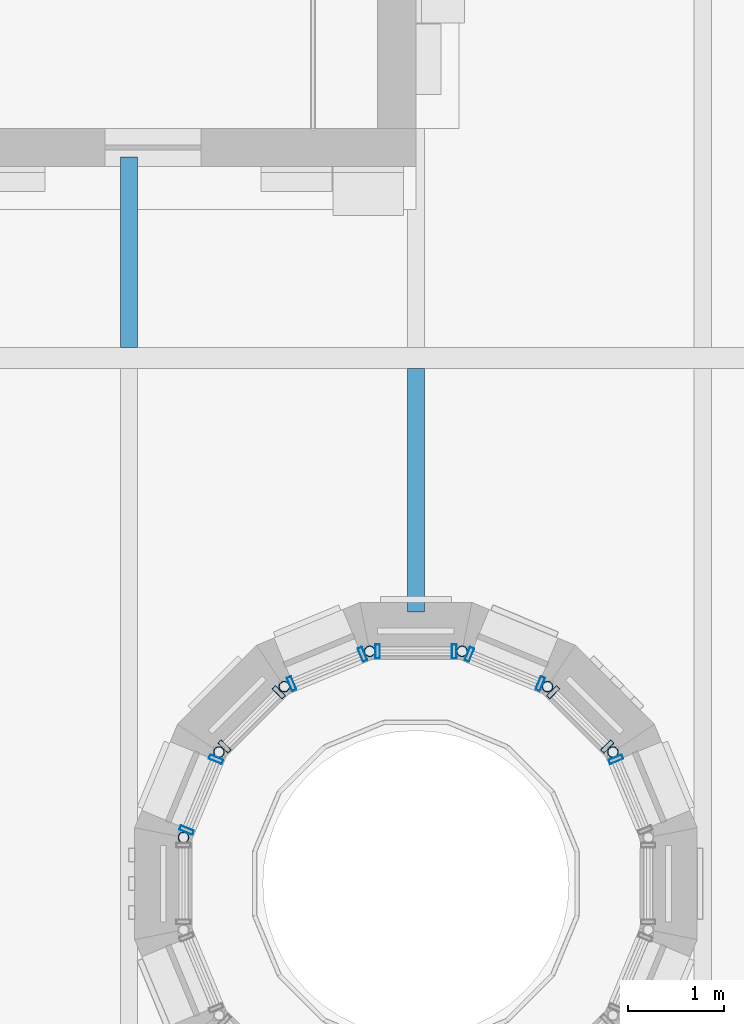
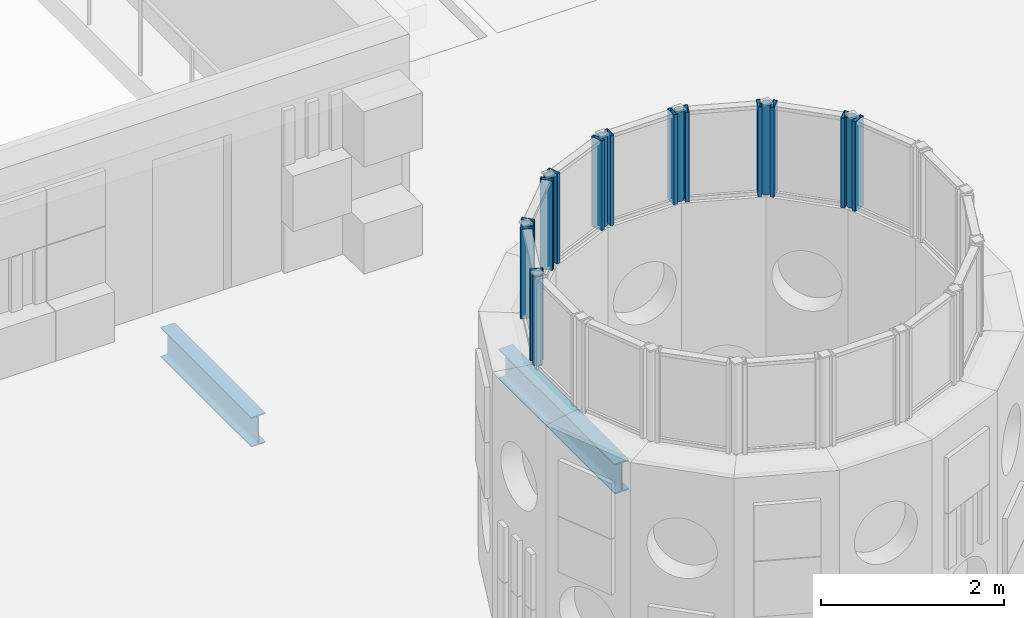
# One storey, part 4 of 98: 22 members, 7 elements without a shape of their own.
"""IFC4 building model written with IfcOpenShell, lengths in metres."""

from ifc_helpers import new_model, si_unit, direction, frame, origin, origin_2d, place, context, subcontext, project, spatial, hollow_rectangle, hollow_circle, i_section, extrude, material, material_profile, profile_set, type_object, element, aggregate, save


model = new_model("IFC4")

# Units and contexts
model_context = context("Model", 3, precision=1e-05, world=origin(), true_north=direction((0.0, 1.0)))
body_context = subcontext(model_context, "Body", "Model", "MODEL_VIEW")
ifc_project = project(units=[si_unit("LENGTHUNIT", "METRE"), si_unit("AREAUNIT", "SQUARE_METRE"), si_unit("VOLUMEUNIT", "CUBIC_METRE"), si_unit("PLANEANGLEUNIT", "RADIAN"), si_unit("MASSUNIT", "GRAM", prefix="KILO")], contexts=[model_context])

# Site, building, storey
site_placement = place(None, origin())
site = spatial("IfcSite", under=ifc_project, at=site_placement, CompositionType="ELEMENT")
building_placement = place(site_placement, origin())
building = spatial("IfcBuilding", under=site, at=building_placement, Name="Sun Court Science Centre", CompositionType="ELEMENT")
storey_placement = place(building_placement, frame((0.0, 0.0, 15.75)))
storey = spatial("IfcBuildingStorey", under=building, at=storey_placement, Name="L03", CompositionType="ELEMENT", Elevation=15.75)

# Curtain wall, member
ifc_material_1 = material(Name="Aluminium EN AW-6063 T6", Category="aluminium")
curtain_wall_type = type_object("IfcCurtainWallType", Name="Lantern clerestory curtain wall 1500", PredefinedType="NOTDEFINED", material=ifc_material_1)
curtain_wall_1_placement = place(storey_placement, origin())
curtain_wall_1 = element("IfcCurtainWall", 1, at=curtain_wall_1_placement, inside=storey, type_object=curtain_wall_type, Name="Curtain wall V2 C3 clerestory L03 01", PredefinedType="NOTDEFINED")
ifc_material_2 = material(Name="Aluminium EN AW-6063 T6", Category="aluminium")
ifc_material_profile_1 = material_profile(ifc_material_2, hollow_rectangle(XDim=0.050048828125, YDim=0.14990234375, WallThickness=0.00390625, InnerFilletRadius=0.00390625, OuterFilletRadius=0.006103515625, at=origin_2d()), Name="AL 50x150x4")
ifc_profile_set_1 = profile_set([ifc_material_profile_1], Name="Aluminium EN AW-6063 T6")
member_type_1 = type_object("IfcMemberType", Name="Curtain wall mullion AL 50x150", PredefinedType="MULLION", material=ifc_profile_set_1)
member_1_placement = place(storey_placement, frame((32.092041015625, 12.801025390625, 3.449951171875), z_axis=(0.0, 0.0, 1.0), x_axis=(0.382683432365, -0.923879532511, 0.0)))
member_1 = element("IfcMember", 2, at=member_1_placement, type_object=member_type_1, Name="CW4-33 mullion 1", PredefinedType="MULLION", context=body_context, shape_type="SweptSolid", body=[
    extrude(hollow_rectangle(XDim=0.050048828125, YDim=0.14990234375, WallThickness=0.00390625, InnerFilletRadius=0.00390625, OuterFilletRadius=0.006103515625, at=origin_2d()), origin(), (0.0, 0.0, 1.0), 1.199951171875),
])
aggregate(curtain_wall_1, [member_1])

# Curtain wall, members
curtain_wall_2_placement = place(storey_placement, origin())
curtain_wall_2 = element("IfcCurtainWall", 3, at=curtain_wall_2_placement, inside=storey, type_object=curtain_wall_type, Name="Curtain wall V2 C3 clerestory L03 02", PredefinedType="NOTDEFINED")
member_2_placement = place(storey_placement, frame((31.434814453125, 13.50244140625, 3.449951171875), z_axis=(0.0, 0.0, 1.0), x_axis=(0.707106781187, -0.707106781187, 0.0)))
member_2 = element("IfcMember", 4, at=member_2_placement, type_object=member_type_1, Name="CW4-34 mullion 1", PredefinedType="MULLION", context=body_context, shape_type="SweptSolid", body=[
    extrude(hollow_rectangle(XDim=0.050048828125, YDim=0.14990234375, WallThickness=0.00390625, InnerFilletRadius=0.00390625, OuterFilletRadius=0.006103515625, at=origin_2d()), origin(), (0.0, 0.0, 1.0), 1.199951171875),
])
member_3_placement = place(storey_placement, frame((32.00244140625, 12.934814453125, 3.449951171875), z_axis=(0.0, 0.0, 1.0), x_axis=(0.707106781187, -0.707106781187, 0.0)))
member_3 = element("IfcMember", 5, at=member_3_placement, type_object=member_type_1, Name="CW4-34 mullion 2", PredefinedType="MULLION", context=body_context, shape_type="SweptSolid", body=[
    extrude(hollow_rectangle(XDim=0.050048828125, YDim=0.14990234375, WallThickness=0.00390625, InnerFilletRadius=0.00390625, OuterFilletRadius=0.006103515625, at=origin_2d()), origin(), (0.0, 0.0, 1.0), 1.199951171875),
])
aggregate(curtain_wall_2, [member_2, member_3])

curtain_wall_3_placement = place(storey_placement, origin())
curtain_wall_3 = element("IfcCurtainWall", 6, at=curtain_wall_3_placement, inside=storey, type_object=curtain_wall_type, Name="Curtain wall V2 C3 clerestory L03 03", PredefinedType="NOTDEFINED")
member_4_placement = place(storey_placement, frame((30.559326171875, 13.899169921875, 3.449951171875), z_axis=(0.0, 0.0, 1.0), x_axis=(0.923879532511, -0.382683432365, 0.0)))
member_4 = element("IfcMember", 7, at=member_4_placement, type_object=member_type_1, Name="CW4-35 mullion 1", PredefinedType="MULLION", context=body_context, shape_type="SweptSolid", body=[
    extrude(hollow_rectangle(XDim=0.050048828125, YDim=0.14990234375, WallThickness=0.00390625, InnerFilletRadius=0.00390625, OuterFilletRadius=0.006103515625, at=origin_2d()), origin(), (0.0, 0.0, 1.0), 1.199951171875),
])
member_5_placement = place(storey_placement, frame((31.301025390625, 13.592041015625, 3.449951171875), z_axis=(0.0, 0.0, 1.0), x_axis=(0.923879532511, -0.382683432365, 0.0)))
member_5 = element("IfcMember", 8, at=member_5_placement, type_object=member_type_1, Name="CW4-35 mullion 2", PredefinedType="MULLION", context=body_context, shape_type="SweptSolid", body=[
    extrude(hollow_rectangle(XDim=0.050048828125, YDim=0.14990234375, WallThickness=0.00390625, InnerFilletRadius=0.00390625, OuterFilletRadius=0.006103515625, at=origin_2d()), origin(), (0.0, 0.0, 1.0), 1.199951171875),
])
aggregate(curtain_wall_3, [member_4, member_5])

curtain_wall_4_placement = place(storey_placement, origin())
curtain_wall_4 = element("IfcCurtainWall", 9, at=curtain_wall_4_placement, inside=storey, type_object=curtain_wall_type, Name="Curtain wall V2 C3 clerestory L03 04", PredefinedType="NOTDEFINED")
member_6_placement = place(storey_placement, frame((29.5986328125, 13.9306640625, 3.449951171875), z_axis=(0.0, 0.0, 1.0), x_axis=(1.0, 0.0, 0.0)))
member_6 = element("IfcMember", 10, at=member_6_placement, type_object=member_type_1, Name="CW4-36 mullion 1", PredefinedType="MULLION", context=body_context, shape_type="SweptSolid", body=[
    extrude(hollow_rectangle(XDim=0.050048828125, YDim=0.14990234375, WallThickness=0.00390625, InnerFilletRadius=0.00390625, OuterFilletRadius=0.006103515625, at=origin_2d()), origin(), (0.0, 0.0, 1.0), 1.199951171875),
])
member_7_placement = place(storey_placement, frame((30.4013671875, 13.9306640625, 3.449951171875), z_axis=(0.0, 0.0, 1.0), x_axis=(1.0, 0.0, 0.0)))
member_7 = element("IfcMember", 11, at=member_7_placement, type_object=member_type_1, Name="CW4-36 mullion 2", PredefinedType="MULLION", context=body_context, shape_type="SweptSolid", body=[
    extrude(hollow_rectangle(XDim=0.050048828125, YDim=0.14990234375, WallThickness=0.00390625, InnerFilletRadius=0.00390625, OuterFilletRadius=0.006103515625, at=origin_2d()), origin(), (0.0, 0.0, 1.0), 1.199951171875),
])
aggregate(curtain_wall_4, [member_6, member_7])

curtain_wall_5_placement = place(storey_placement, origin())
curtain_wall_5 = element("IfcCurtainWall", 12, at=curtain_wall_5_placement, inside=storey, type_object=curtain_wall_type, Name="Curtain wall V2 C3 clerestory L03 05", PredefinedType="NOTDEFINED")
member_8_placement = place(storey_placement, frame((28.698974609375, 13.592041015625, 3.449951171875), z_axis=(0.0, 0.0, 1.0), x_axis=(0.923879532511, 0.382683432365, 0.0)))
member_8 = element("IfcMember", 13, at=member_8_placement, type_object=member_type_1, Name="CW4-37 mullion 1", PredefinedType="MULLION", context=body_context, shape_type="SweptSolid", body=[
    extrude(hollow_rectangle(XDim=0.050048828125, YDim=0.14990234375, WallThickness=0.00390625, InnerFilletRadius=0.00390625, OuterFilletRadius=0.006103515625, at=origin_2d()), origin(), (0.0, 0.0, 1.0), 1.199951171875),
])
member_9_placement = place(storey_placement, frame((29.440673828125, 13.899169921875, 3.449951171875), z_axis=(0.0, 0.0, 1.0), x_axis=(0.923879532511, 0.382683432365, 0.0)))
member_9 = element("IfcMember", 14, at=member_9_placement, type_object=member_type_1, Name="CW4-37 mullion 2", PredefinedType="MULLION", context=body_context, shape_type="SweptSolid", body=[
    extrude(hollow_rectangle(XDim=0.050048828125, YDim=0.14990234375, WallThickness=0.00390625, InnerFilletRadius=0.00390625, OuterFilletRadius=0.006103515625, at=origin_2d()), origin(), (0.0, 0.0, 1.0), 1.199951171875),
])
aggregate(curtain_wall_5, [member_8, member_9])

curtain_wall_6_placement = place(storey_placement, origin())
curtain_wall_6 = element("IfcCurtainWall", 15, at=curtain_wall_6_placement, inside=storey, type_object=curtain_wall_type, Name="Curtain wall V2 C3 clerestory L03 06", PredefinedType="NOTDEFINED")
member_10_placement = place(storey_placement, frame((27.99755859375, 12.934814453125, 3.449951171875), z_axis=(0.0, 0.0, 1.0), x_axis=(0.707106781187, 0.707106781187, 0.0)))
member_10 = element("IfcMember", 16, at=member_10_placement, type_object=member_type_1, Name="CW4-38 mullion 1", PredefinedType="MULLION", context=body_context, shape_type="SweptSolid", body=[
    extrude(hollow_rectangle(XDim=0.050048828125, YDim=0.14990234375, WallThickness=0.00390625, InnerFilletRadius=0.00390625, OuterFilletRadius=0.006103515625, at=origin_2d()), origin(), (0.0, 0.0, 1.0), 1.199951171875),
])
member_11_placement = place(storey_placement, frame((28.565185546875, 13.50244140625, 3.449951171875), z_axis=(0.0, 0.0, 1.0), x_axis=(0.707106781187, 0.707106781187, 0.0)))
member_11 = element("IfcMember", 17, at=member_11_placement, type_object=member_type_1, Name="CW4-38 mullion 2", PredefinedType="MULLION", context=body_context, shape_type="SweptSolid", body=[
    extrude(hollow_rectangle(XDim=0.050048828125, YDim=0.14990234375, WallThickness=0.00390625, InnerFilletRadius=0.00390625, OuterFilletRadius=0.006103515625, at=origin_2d()), origin(), (0.0, 0.0, 1.0), 1.199951171875),
])
aggregate(curtain_wall_6, [member_10, member_11])

curtain_wall_7_placement = place(storey_placement, origin())
curtain_wall_7 = element("IfcCurtainWall", 18, at=curtain_wall_7_placement, inside=storey, type_object=curtain_wall_type, Name="Curtain wall V2 C3 clerestory L03 07", PredefinedType="NOTDEFINED")
member_12_placement = place(storey_placement, frame((27.600830078125, 12.059326171875, 3.449951171875), z_axis=(0.0, 0.0, 1.0), x_axis=(0.382683432365, 0.923879532511, 0.0)))
member_12 = element("IfcMember", 19, at=member_12_placement, type_object=member_type_1, Name="CW4-39 mullion 1", PredefinedType="MULLION", context=body_context, shape_type="SweptSolid", body=[
    extrude(hollow_rectangle(XDim=0.050048828125, YDim=0.14990234375, WallThickness=0.00390625, InnerFilletRadius=0.00390625, OuterFilletRadius=0.006103515625, at=origin_2d()), origin(), (0.0, 0.0, 1.0), 1.199951171875),
])
member_13_placement = place(storey_placement, frame((27.907958984375, 12.801025390625, 3.449951171875), z_axis=(0.0, 0.0, 1.0), x_axis=(0.382683432365, 0.923879532511, 0.0)))
member_13 = element("IfcMember", 20, at=member_13_placement, type_object=member_type_1, Name="CW4-39 mullion 2", PredefinedType="MULLION", context=body_context, shape_type="SweptSolid", body=[
    extrude(hollow_rectangle(XDim=0.050048828125, YDim=0.14990234375, WallThickness=0.00390625, InnerFilletRadius=0.00390625, OuterFilletRadius=0.006103515625, at=origin_2d()), origin(), (0.0, 0.0, 1.0), 1.199951171875),
])
aggregate(curtain_wall_7, [member_12, member_13])

# Members
ifc_material_3 = material(Name="Steel S355", Category="steel")
ifc_material_profile_2 = material_profile(ifc_material_3, hollow_circle(Radius=0.05712890625, WallThickness=0.00634765625, at=origin_2d()), Name="CHS 114.3x6.3")
ifc_profile_set_2 = profile_set([ifc_material_profile_2], Name="Steel S355")
member_type_2 = type_object("IfcMemberType", Name="Lantern post CHS 114.3x6.3", PredefinedType="POST", material=ifc_profile_set_2)
for number, where, z_axis, x_axis, name in (
    (21, (32.060546875, 12.876953125, 3.449951171875), (0.0, 0.0, 1.0), (1.0, 0.0, 0.0), "Cone 3 clerestory post 2"),
    (22, (31.376953125, 13.560546875, 3.449951171875), (0.0, 0.0, 1.0), (1.0, 0.0, 0.0), "Cone 3 clerestory post 3"),
    (23, (30.4833984375, 13.9306640625, 3.449951171875), (0.0, 0.0, 1.0), (1.0, 0.0, 0.0), "Cone 3 clerestory post 4"),
    (24, (29.5166015625, 13.9306640625, 3.449951171875), (0.0, 0.0, 1.0), (1.0, 0.0, 0.0), "Cone 3 clerestory post 5"),
    (25, (28.623046875, 13.560546875, 3.449951171875), (0.0, 0.0, 1.0), (1.0, 0.0, 0.0), "Cone 3 clerestory post 6"),
    (26, (27.939453125, 12.876953125, 3.449951171875), (0.0, 0.0, 1.0), (1.0, 0.0, 0.0), "Cone 3 clerestory post 7"),
    (27, (27.5693359375, 11.9833984375, 3.449951171875), (0.0, 0.0, 1.0), (1.0, 0.0, 0.0), "Cone 3 clerestory post 8"),
):
    element("IfcMember", number, at=place(storey_placement, frame(where, z_axis=z_axis, x_axis=x_axis)), inside=storey, type_object=member_type_2, Name=name, PredefinedType="POST", context=body_context, shape_type="SweptSolid", body=[
        extrude(hollow_circle(Radius=0.05712890625, WallThickness=0.00634765625, at=origin_2d()), origin(), (0.0, 0.0, 1.0), 1.199951171875),
    ])
ifc_material_4 = material(Name="Steel S275", Category="steel")
ifc_material_profile_3 = material_profile(ifc_material_4, i_section(OverallWidth=0.179931640625, OverallDepth=0.39990234375, WebThickness=0.008544921875, FlangeThickness=0.013427734375, FilletRadius=0.02099609375, at=origin_2d()), Name="IPE 400")
ifc_profile_set_3 = profile_set([ifc_material_profile_3], Name="Steel S275")
member_type_3 = type_object("IfcMemberType", Name="Roof purlin IPE 400", PredefinedType="PURLIN", material=ifc_profile_set_3)
member_14_placement = place(storey_placement, frame((27.0, 17.110107421875, -0.35009765625), z_axis=(0.0, 1.0, 0.0), x_axis=(-1.0, 0.0, 0.0)))
element("IfcMember", 28, at=member_14_placement, inside=storey, type_object=member_type_3, Name="Roof purlin", PredefinedType="PURLIN", context=body_context, shape_type="SweptSolid", body=[
    extrude(i_section(OverallWidth=0.179931640625, OverallDepth=0.39990234375, WebThickness=0.008544921875, FlangeThickness=0.013427734375, FilletRadius=0.02099609375, at=origin_2d()), origin(), (0.0, 0.0, 1.0), 1.989990234375),
])
member_15_placement = place(storey_placement, frame((30.0, 14.34228515625, -0.35009765625), z_axis=(0.0, 1.0, 0.0), x_axis=(-1.0, 0.0, 0.0)))
element("IfcMember", 29, at=member_15_placement, inside=storey, type_object=member_type_3, Name="Roof purlin", PredefinedType="PURLIN", context=body_context, shape_type="SweptSolid", body=[
    extrude(i_section(OverallWidth=0.179931640625, OverallDepth=0.39990234375, WebThickness=0.008544921875, FlangeThickness=0.013427734375, FilletRadius=0.02099609375, at=origin_2d()), origin(), (0.0, 0.0, 1.0), 2.547607421875),
])

save(model, "model.ifc")
